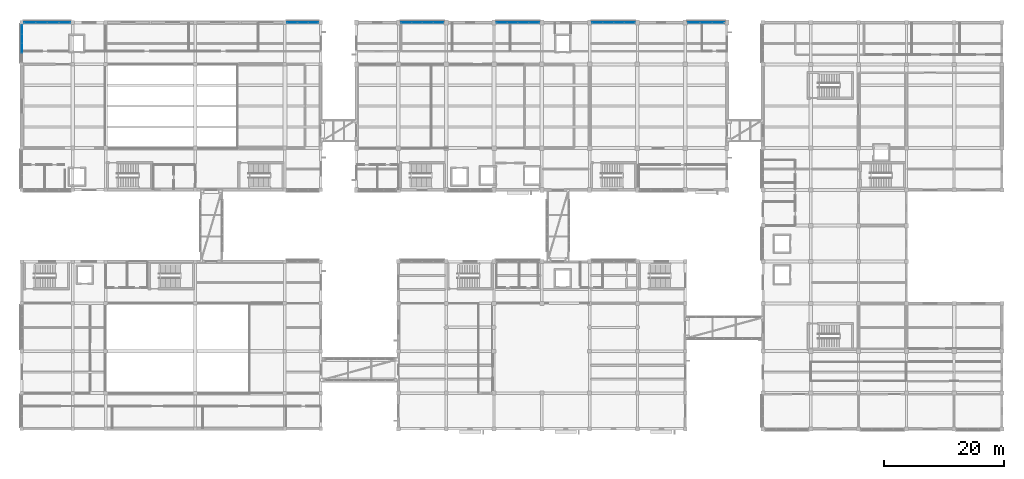
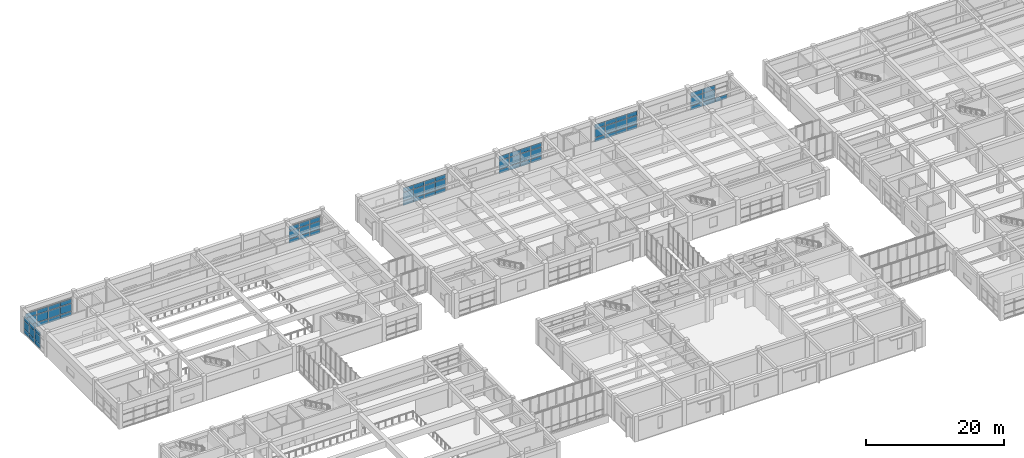
# One storey, part 43 of 72: 73 plates, 7 elements without a shape of their own.
"""IFC4 building model written with IfcOpenShell, lengths in metres."""

import ifcopenshell
import ifcopenshell.guid

model = None  # the IFC model being written
_history = None  # IfcOwnerHistory: only IFC2X3 demands one
_inside = {}  # id of a spatial element -> (the spatial element, [elements in it])
_under = {}  # id of a project, library or spatial element -> (it, [spatial elements below it])
_declared = {}  # id of a project -> (the project, [libraries it declares])
_typed = {}  # id of a type object -> (the type object, [elements of that type])
_made_of = {}  # id of a material, layer set ... -> (it, [elements and type objects made of it])


def new_model(schema):
    """Start an empty IFC model of exactly this schema.

    Asked for "IFC4X3", IfcOpenShell would pick the latest addendum, in which some entities
    have other attributes; the version numbers below select the first issue.
    IFC2X3 requires an IfcOwnerHistory on every rooted entity: one is made here for all.
    """
    global model, _history
    if schema == "IFC4X3":
        model = ifcopenshell.file(schema_version=(4, 3, 0, 0))
    else:
        model = ifcopenshell.file(schema=schema)
    _inside.clear()
    _under.clear()
    _declared.clear()
    _typed.clear()
    _made_of.clear()
    _history = None
    if model.schema == "IFC2X3":
        org = make("IfcOrganization", Name="unknown")
        user = make(
            "IfcPersonAndOrganization",
            ThePerson=make("IfcPerson", FamilyName="unknown"),
            TheOrganization=org,
        )
        app = make(
            "IfcApplication",
            ApplicationDeveloper=org,
            Version="unknown",
            ApplicationFullName="unknown",
            ApplicationIdentifier="unknown",
        )
        _history = make(
            "IfcOwnerHistory",
            OwningUser=user,
            OwningApplication=app,
            ChangeAction="ADDED",
            CreationDate=0,
        )
    return model


def make(cls, **values):
    """One entity of the class cls with the attributes given. An attribute that is None is left unset."""
    return model.create_entity(
        cls, **{name: value for name, value in values.items() if value is not None}
    )


def rooted(cls, **values):
    """An entity with a GlobalId (a new one), such as an element, a storey or a relation."""
    return make(cls, GlobalId=ifcopenshell.guid.new(), OwnerHistory=_history, **values)


def si_unit(unit_type, name, prefix=None):
    """IfcSIUnit, for example si_unit("LENGTHUNIT", "METRE", prefix="MILLI")."""
    return make("IfcSIUnit", UnitType=unit_type, Prefix=prefix, Name=name)


def assignment(units):
    """IfcUnitAssignment: the units of a project."""
    return None if units is None else make("IfcUnitAssignment", Units=units)


def point(xyz):
    """IfcCartesianPoint."""
    return None if xyz is None else make("IfcCartesianPoint", Coordinates=xyz)


def direction(xyz):
    """IfcDirection."""
    return None if xyz is None else make("IfcDirection", DirectionRatios=xyz)


def frame(location, z_axis=None, x_axis=None):
    """IfcAxis2Placement3D, a coordinate frame: its origin and axes. An axis left out is left unset."""
    return make(
        "IfcAxis2Placement3D",
        Location=point(location),
        Axis=direction(z_axis),
        RefDirection=direction(x_axis),
    )


def frame_2d(location, x_axis=None):
    """IfcAxis2Placement2D, a coordinate frame in the plane: its origin and x axis."""
    return make(
        "IfcAxis2Placement2D", Location=point(location), RefDirection=direction(x_axis)
    )


def origin():
    """The frame at (0, 0, 0) with its axes left unset."""
    return frame((0.0, 0.0, 0.0))


def origin_2d():
    """The frame at (0, 0) in the plane with its x axis left unset."""
    return frame_2d((0.0, 0.0))


def place(relative_to, where):
    """IfcLocalPlacement: puts the frame where relative to a parent placement (None: the world)."""
    return make(
        "IfcLocalPlacement", PlacementRelTo=relative_to, RelativePlacement=where
    )


def context(
    kind, dimensions, precision=None, world=None, true_north=None, identifier=None
):
    """IfcGeometricRepresentationContext, for example the 3D "Model" context."""
    return make(
        "IfcGeometricRepresentationContext",
        ContextIdentifier=identifier,
        ContextType=kind,
        CoordinateSpaceDimension=dimensions,
        Precision=precision,
        WorldCoordinateSystem=world,
        TrueNorth=true_north,
    )


def subcontext(parent, identifier, kind, view, scale=None):
    """IfcGeometricRepresentationSubContext, for example "Body" below "Model"."""
    return make(
        "IfcGeometricRepresentationSubContext",
        ContextIdentifier=identifier,
        ContextType=kind,
        ParentContext=parent,
        TargetScale=scale,
        TargetView=view,
    )


def project(units=None, contexts=None):
    """IfcProject with its units and contexts."""
    return rooted(
        "IfcProject",
        Name="project",
        RepresentationContexts=contexts,
        UnitsInContext=assignment(units),
    )


def spatial(cls, under=None, at=None, **own):
    """A site, building, storey or space (cls), placed at a placement, below another one or the project."""
    s = rooted(cls, ObjectPlacement=at, **own)
    if under is not None:
        _under.setdefault(under.id(), (under, []))[1].append(s)
    return s


def profile(cls, at=None, kind="AREA", **sizes):
    """A parametric profile (cls). Its sizes go by their IFC names, for example OverallWidth=200.0."""
    return make(cls, ProfileType=kind, Position=at, **sizes)


def rectangle(**sizes):
    """IfcRectangleProfileDef."""
    return profile("IfcRectangleProfileDef", **sizes)


def extrude(swept, where, along, depth):
    """IfcExtrudedAreaSolid: the profile swept, set in the frame where, extruded along a direction by depth."""
    return make(
        "IfcExtrudedAreaSolid",
        SweptArea=swept,
        Position=where,
        ExtrudedDirection=direction(along),
        Depth=depth,
    )


def shape(context_of_items, identifier, shape_type, items):
    """IfcShapeRepresentation: the items that make up one representation, for example the "Body"."""
    return make(
        "IfcShapeRepresentation",
        ContextOfItems=context_of_items,
        RepresentationIdentifier=identifier,
        RepresentationType=shape_type,
        Items=items,
    )


def material(Name=None, Category=None):
    """IfcMaterial."""
    return make("IfcMaterial", Name=Name, Category=Category)


def layer(
    of_material, thickness, ventilated=None, Name=None, Category=None, Priority=None
):
    """IfcMaterialLayer: one layer of a wall or slab, of a material (None: an air gap)."""
    return make(
        "IfcMaterialLayer",
        Material=of_material,
        LayerThickness=thickness,
        IsVentilated=ventilated,
        Name=Name,
        Category=Category,
        Priority=Priority,
    )


def layer_set(layers, Name=None):
    """IfcMaterialLayerSet."""
    return make("IfcMaterialLayerSet", MaterialLayers=layers, LayerSetName=Name)


def made_of(thing, what):
    """Note that an element or type object is made of a material, layer set ...; save() writes the relation."""
    if what is not None:
        _made_of.setdefault(what.id(), (what, []))[1].append(thing)
    return thing


def type_object(cls, material=None, **own):
    """A type object (cls), such as IfcWallType, which elements share."""
    return made_of(rooted(cls, **own), material)


def element(
    cls,
    number,
    at=None,
    inside=None,
    cuts=None,
    type_object=None,
    material=None,
    context=None,
    identifier="Body",
    shape_type=None,
    held_by="IfcProductDefinitionShape",
    body=None,
    shapes=None,
    **own,
):
    """One element of the class cls, such as IfcWall. Its Tag is "e" and its number.

    at: its placement. inside: the storey or other place that contains it. cuts: it is an
    opening in that element (IfcRelVoidsElement). A single representation is given by context,
    identifier, shape_type and body (its items); several are given by shapes. held_by: the class
    of the entity that holds the representations. save() writes the other relations.
    """
    e = rooted(cls, Tag="e%d" % number, ObjectPlacement=at, **own)
    if body is not None:
        shapes = [shape(context, identifier, shape_type, body)]
    if shapes is not None:
        e.Representation = make(held_by, Representations=shapes)
    if inside is not None:
        _inside.setdefault(inside.id(), (inside, []))[1].append(e)
    if cuts is not None:
        rooted(
            "IfcRelVoidsElement", RelatingBuildingElement=cuts, RelatedOpeningElement=e
        )
    if type_object is not None:
        _typed.setdefault(type_object.id(), (type_object, []))[1].append(e)
    return made_of(e, material)


def aggregate(whole, parts):
    """IfcRelAggregates: a whole, such as a stair, and the parts it consists of."""
    return rooted("IfcRelAggregates", RelatingObject=whole, RelatedObjects=parts)


def save(model, path):
    """Write the relations noted so far, then the file.

    IfcRelAggregates (storeys below a building ...), IfcRelContainedInSpatialStructure (elements
    in a storey), IfcRelDefinesByType, IfcRelAssociatesMaterial and IfcRelDeclares: one each for
    every whole, place, type object, material and project.
    """
    for whole, parts in _under.values():
        aggregate(whole, parts)
    for where, things in _inside.values():
        rooted(
            "IfcRelContainedInSpatialStructure",
            RelatedElements=things,
            RelatingStructure=where,
        )
    for kind, things in _typed.values():
        rooted("IfcRelDefinesByType", RelatedObjects=things, RelatingType=kind)
    for what, things in _made_of.values():
        rooted("IfcRelAssociatesMaterial", RelatedObjects=things, RelatingMaterial=what)
    for by, libraries in _declared.values():
        rooted("IfcRelDeclares", RelatingContext=by, RelatedDefinitions=libraries)
    model.write(path)


model = new_model("IFC4")

# Units and contexts
model_context = context("Model", 3, precision=1e-05, world=origin(), true_north=direction((0.0, 1.0)))
body_context = subcontext(model_context, "Body", "Model", "MODEL_VIEW")
ifc_project = project(units=[si_unit("LENGTHUNIT", "METRE"), si_unit("AREAUNIT", "SQUARE_METRE"), si_unit("VOLUMEUNIT", "CUBIC_METRE"), si_unit("PLANEANGLEUNIT", "RADIAN"), si_unit("MASSUNIT", "GRAM", prefix="KILO")], contexts=[model_context])

# Site, building, storey
site_placement = place(None, origin())
site = spatial("IfcSite", under=ifc_project, at=site_placement, CompositionType="ELEMENT")
building_placement = place(site_placement, origin())
building = spatial("IfcBuilding", under=site, at=building_placement, Name="Naurynzar Civic Courthouse", CompositionType="ELEMENT")
storey_placement = place(building_placement, frame((0.0, 0.0, 9.89990234375)))
storey = spatial("IfcBuildingStorey", under=building, at=storey_placement, Name="L03", CompositionType="ELEMENT", Elevation=9.89990234375)

# Curtain wall, plates
ifc_material_1 = material(Name="Aluminium 6063-T6", Category="aluminium")
ifc_layer_1 = layer(ifc_material_1, 0.159912109375)
ifc_layer_set_1 = layer_set([ifc_layer_1], Name="CW-UNIT-1800")
curtain_wall_type = type_object("IfcCurtainWallType", Name="CW-UNIT-1800", PredefinedType="NOTDEFINED", material=ifc_layer_set_1)
curtain_wall_1_placement = place(storey_placement, origin())
curtain_wall_1 = element("IfcCurtainWall", 1, at=curtain_wall_1_placement, inside=storey, type_object=curtain_wall_type, Name="V1 unitised curtain wall 8 L03", PredefinedType="NOTDEFINED")
ifc_material_2 = material(Name="Tempered Laminated Low-E Glass", Category="glass")
ifc_layer_2 = layer(ifc_material_2, 0.035888671875)
ifc_layer_set_2 = layer_set([ifc_layer_2], Name="CWP-IGU-36")
plate_type = type_object("IfcPlateType", Name="CWP-IGU-36", PredefinedType="CURTAIN_PANEL", material=ifc_layer_set_2)
plate_1_placement = place(storey_placement, frame((6.0, 67.71240234375, 0.070068359375), z_axis=(0.0, 0.0, 1.0), x_axis=(0.0, 1.0, 0.0)))
plate_1 = element("IfcPlate", 2, at=plate_1_placement, type_object=plate_type, Name="CW-02 panel 2.1", PredefinedType="CURTAIN_PANEL", context=body_context, shape_type="SweptSolid", body=[
    extrude(rectangle(XDim=1.5048828125, YDim=0.035888671875, at=origin_2d()), origin(), (0.0, 0.0, 1.0), 0.7451171875),
])
plate_2_placement = place(storey_placement, frame((6.0, 67.71240234375, 0.88525390625), z_axis=(0.0, 0.0, 1.0), x_axis=(0.0, 1.0, 0.0)))
plate_2 = element("IfcPlate", 3, at=plate_2_placement, type_object=plate_type, Name="CW-02 panel 2.2", PredefinedType="CURTAIN_PANEL", context=body_context, shape_type="SweptSolid", body=[
    extrude(rectangle(XDim=1.5048828125, YDim=0.035888671875, at=origin_2d()), origin(), (0.0, 0.0, 1.0), 1.340087890625),
])
plate_3_placement = place(storey_placement, frame((6.0, 67.71240234375, 2.294921875), z_axis=(0.0, 0.0, 1.0), x_axis=(0.0, 1.0, 0.0)))
plate_3 = element("IfcPlate", 4, at=plate_3_placement, type_object=plate_type, Name="CW-02 panel 2.3", PredefinedType="CURTAIN_PANEL", context=body_context, shape_type="SweptSolid", body=[
    extrude(rectangle(XDim=1.5048828125, YDim=0.035888671875, at=origin_2d()), origin(), (0.0, 0.0, 1.0), 0.7451171875),
])
plate_4_placement = place(storey_placement, frame((6.0, 69.28759765625, 0.070068359375), z_axis=(0.0, 0.0, 1.0), x_axis=(0.0, 1.0, 0.0)))
plate_4 = element("IfcPlate", 5, at=plate_4_placement, type_object=plate_type, Name="CW-02 panel 3.1", PredefinedType="CURTAIN_PANEL", context=body_context, shape_type="SweptSolid", body=[
    extrude(rectangle(XDim=1.5048828125, YDim=0.035888671875, at=origin_2d()), origin(), (0.0, 0.0, 1.0), 0.7451171875),
])
plate_5_placement = place(storey_placement, frame((6.0, 69.28759765625, 0.88525390625), z_axis=(0.0, 0.0, 1.0), x_axis=(0.0, 1.0, 0.0)))
plate_5 = element("IfcPlate", 6, at=plate_5_placement, type_object=plate_type, Name="CW-02 panel 3.2", PredefinedType="CURTAIN_PANEL", context=body_context, shape_type="SweptSolid", body=[
    extrude(rectangle(XDim=1.5048828125, YDim=0.035888671875, at=origin_2d()), origin(), (0.0, 0.0, 1.0), 1.340087890625),
])
plate_6_placement = place(storey_placement, frame((6.0, 69.28759765625, 2.294921875), z_axis=(0.0, 0.0, 1.0), x_axis=(0.0, 1.0, 0.0)))
plate_6 = element("IfcPlate", 7, at=plate_6_placement, type_object=plate_type, Name="CW-02 panel 3.3", PredefinedType="CURTAIN_PANEL", context=body_context, shape_type="SweptSolid", body=[
    extrude(rectangle(XDim=1.5048828125, YDim=0.035888671875, at=origin_2d()), origin(), (0.0, 0.0, 1.0), 0.7451171875),
])
plate_7_placement = place(storey_placement, frame((6.0, 70.844970703125, 0.070068359375), z_axis=(0.0, 0.0, 1.0), x_axis=(0.0, 1.0, 0.0)))
plate_7 = element("IfcPlate", 8, at=plate_7_placement, type_object=plate_type, Name="CW-02 panel 4.1", PredefinedType="CURTAIN_PANEL", context=body_context, shape_type="SweptSolid", body=[
    extrude(rectangle(XDim=1.469970703125, YDim=0.035888671875, at=origin_2d()), origin(), (0.0, 0.0, 1.0), 0.7451171875),
])
plate_8_placement = place(storey_placement, frame((6.0, 70.844970703125, 0.88525390625), z_axis=(0.0, 0.0, 1.0), x_axis=(0.0, 1.0, 0.0)))
plate_8 = element("IfcPlate", 9, at=plate_8_placement, type_object=plate_type, Name="CW-02 panel 4.2", PredefinedType="CURTAIN_PANEL", context=body_context, shape_type="SweptSolid", body=[
    extrude(rectangle(XDim=1.469970703125, YDim=0.035888671875, at=origin_2d()), origin(), (0.0, 0.0, 1.0), 1.340087890625),
])
plate_9_placement = place(storey_placement, frame((6.0, 70.844970703125, 2.294921875), z_axis=(0.0, 0.0, 1.0), x_axis=(0.0, 1.0, 0.0)))
plate_9 = element("IfcPlate", 10, at=plate_9_placement, type_object=plate_type, Name="CW-02 panel 4.3", PredefinedType="CURTAIN_PANEL", context=body_context, shape_type="SweptSolid", body=[
    extrude(rectangle(XDim=1.469970703125, YDim=0.035888671875, at=origin_2d()), origin(), (0.0, 0.0, 1.0), 0.7451171875),
])
aggregate(curtain_wall_1, [plate_1, plate_2, plate_3, plate_4, plate_5, plate_6, plate_7, plate_8, plate_9])

curtain_wall_2_placement = place(storey_placement, origin())
curtain_wall_2 = element("IfcCurtainWall", 11, at=curtain_wall_2_placement, inside=storey, type_object=curtain_wall_type, Name="V1 unitised curtain wall 9 L03", PredefinedType="NOTDEFINED")
plate_10_placement = place(storey_placement, frame((7.342529296875, 72.0, 0.070068359375), z_axis=(0.0, 0.0, 1.0), x_axis=(1.0, 0.0, 0.0)))
plate_10 = element("IfcPlate", 12, at=plate_10_placement, type_object=plate_type, Name="CW-02 panel 1.1", PredefinedType="CURTAIN_PANEL", context=body_context, shape_type="SweptSolid", body=[
    extrude(rectangle(XDim=1.844970703125, YDim=0.035888671875, at=origin_2d()), origin(), (0.0, 0.0, 1.0), 0.7451171875),
])
plate_11_placement = place(storey_placement, frame((7.342529296875, 72.0, 0.88525390625), z_axis=(0.0, 0.0, 1.0), x_axis=(1.0, 0.0, 0.0)))
plate_11 = element("IfcPlate", 13, at=plate_11_placement, type_object=plate_type, Name="CW-02 panel 1.2", PredefinedType="CURTAIN_PANEL", context=body_context, shape_type="SweptSolid", body=[
    extrude(rectangle(XDim=1.844970703125, YDim=0.035888671875, at=origin_2d()), origin(), (0.0, 0.0, 1.0), 1.340087890625),
])
plate_12_placement = place(storey_placement, frame((7.342529296875, 72.0, 2.294921875), z_axis=(0.0, 0.0, 1.0), x_axis=(1.0, 0.0, 0.0)))
plate_12 = element("IfcPlate", 14, at=plate_12_placement, type_object=plate_type, Name="CW-02 panel 1.3", PredefinedType="CURTAIN_PANEL", context=body_context, shape_type="SweptSolid", body=[
    extrude(rectangle(XDim=1.844970703125, YDim=0.035888671875, at=origin_2d()), origin(), (0.0, 0.0, 1.0), 0.7451171875),
])
plate_13_placement = place(storey_placement, frame((9.27490234375, 72.0, 0.070068359375), z_axis=(0.0, 0.0, 1.0), x_axis=(1.0, 0.0, 0.0)))
plate_13 = element("IfcPlate", 15, at=plate_13_placement, type_object=plate_type, Name="CW-02 panel 2.1", PredefinedType="CURTAIN_PANEL", context=body_context, shape_type="SweptSolid", body=[
    extrude(rectangle(XDim=1.8798828125, YDim=0.035888671875, at=origin_2d()), origin(), (0.0, 0.0, 1.0), 0.7451171875),
])
plate_14_placement = place(storey_placement, frame((9.27490234375, 72.0, 0.88525390625), z_axis=(0.0, 0.0, 1.0), x_axis=(1.0, 0.0, 0.0)))
plate_14 = element("IfcPlate", 16, at=plate_14_placement, type_object=plate_type, Name="CW-02 panel 2.2", PredefinedType="CURTAIN_PANEL", context=body_context, shape_type="SweptSolid", body=[
    extrude(rectangle(XDim=1.8798828125, YDim=0.035888671875, at=origin_2d()), origin(), (0.0, 0.0, 1.0), 1.340087890625),
])
plate_15_placement = place(storey_placement, frame((9.27490234375, 72.0, 2.294921875), z_axis=(0.0, 0.0, 1.0), x_axis=(1.0, 0.0, 0.0)))
plate_15 = element("IfcPlate", 17, at=plate_15_placement, type_object=plate_type, Name="CW-02 panel 2.3", PredefinedType="CURTAIN_PANEL", context=body_context, shape_type="SweptSolid", body=[
    extrude(rectangle(XDim=1.8798828125, YDim=0.035888671875, at=origin_2d()), origin(), (0.0, 0.0, 1.0), 0.7451171875),
])
plate_16_placement = place(storey_placement, frame((11.22509765625, 72.0, 0.070068359375), z_axis=(0.0, 0.0, 1.0), x_axis=(1.0, 0.0, 0.0)))
plate_16 = element("IfcPlate", 18, at=plate_16_placement, type_object=plate_type, Name="CW-02 panel 3.1", PredefinedType="CURTAIN_PANEL", context=body_context, shape_type="SweptSolid", body=[
    extrude(rectangle(XDim=1.8798828125, YDim=0.035888671875, at=origin_2d()), origin(), (0.0, 0.0, 1.0), 0.7451171875),
])
plate_17_placement = place(storey_placement, frame((11.22509765625, 72.0, 0.88525390625), z_axis=(0.0, 0.0, 1.0), x_axis=(1.0, 0.0, 0.0)))
plate_17 = element("IfcPlate", 19, at=plate_17_placement, type_object=plate_type, Name="CW-02 panel 3.2", PredefinedType="CURTAIN_PANEL", context=body_context, shape_type="SweptSolid", body=[
    extrude(rectangle(XDim=1.8798828125, YDim=0.035888671875, at=origin_2d()), origin(), (0.0, 0.0, 1.0), 1.340087890625),
])
plate_18_placement = place(storey_placement, frame((11.22509765625, 72.0, 2.294921875), z_axis=(0.0, 0.0, 1.0), x_axis=(1.0, 0.0, 0.0)))
plate_18 = element("IfcPlate", 20, at=plate_18_placement, type_object=plate_type, Name="CW-02 panel 3.3", PredefinedType="CURTAIN_PANEL", context=body_context, shape_type="SweptSolid", body=[
    extrude(rectangle(XDim=1.8798828125, YDim=0.035888671875, at=origin_2d()), origin(), (0.0, 0.0, 1.0), 0.7451171875),
])
plate_19_placement = place(storey_placement, frame((13.157470703125, 72.0, 0.070068359375), z_axis=(0.0, 0.0, 1.0), x_axis=(1.0, 0.0, 0.0)))
plate_19 = element("IfcPlate", 21, at=plate_19_placement, type_object=plate_type, Name="CW-02 panel 4.1", PredefinedType="CURTAIN_PANEL", context=body_context, shape_type="SweptSolid", body=[
    extrude(rectangle(XDim=1.844970703125, YDim=0.035888671875, at=origin_2d()), origin(), (0.0, 0.0, 1.0), 0.7451171875),
])
plate_20_placement = place(storey_placement, frame((13.157470703125, 72.0, 0.88525390625), z_axis=(0.0, 0.0, 1.0), x_axis=(1.0, 0.0, 0.0)))
plate_20 = element("IfcPlate", 22, at=plate_20_placement, type_object=plate_type, Name="CW-02 panel 4.2", PredefinedType="CURTAIN_PANEL", context=body_context, shape_type="SweptSolid", body=[
    extrude(rectangle(XDim=1.844970703125, YDim=0.035888671875, at=origin_2d()), origin(), (0.0, 0.0, 1.0), 1.340087890625),
])
plate_21_placement = place(storey_placement, frame((13.157470703125, 72.0, 2.294921875), z_axis=(0.0, 0.0, 1.0), x_axis=(1.0, 0.0, 0.0)))
plate_21 = element("IfcPlate", 23, at=plate_21_placement, type_object=plate_type, Name="CW-02 panel 4.3", PredefinedType="CURTAIN_PANEL", context=body_context, shape_type="SweptSolid", body=[
    extrude(rectangle(XDim=1.844970703125, YDim=0.035888671875, at=origin_2d()), origin(), (0.0, 0.0, 1.0), 0.7451171875),
])
aggregate(curtain_wall_2, [plate_10, plate_11, plate_12, plate_13, plate_14, plate_15, plate_16, plate_17, plate_18, plate_19, plate_20, plate_21])

curtain_wall_3_placement = place(storey_placement, origin())
curtain_wall_3 = element("IfcCurtainWall", 24, at=curtain_wall_3_placement, inside=storey, type_object=curtain_wall_type, Name="V1 unitised curtain wall 10 L03", PredefinedType="NOTDEFINED")
plate_22_placement = place(storey_placement, frame((51.250732421875, 72.0, 0.070068359375), z_axis=(0.0, 0.0, 1.0), x_axis=(1.0, 0.0, 0.0)))
plate_22 = element("IfcPlate", 25, at=plate_22_placement, type_object=plate_type, Name="CW-02 panel 1.1", PredefinedType="CURTAIN_PANEL", context=body_context, shape_type="SweptSolid", body=[
    extrude(rectangle(XDim=1.66162109375, YDim=0.035888671875, at=origin_2d()), origin(), (0.0, 0.0, 1.0), 0.7451171875),
])
plate_23_placement = place(storey_placement, frame((51.250732421875, 72.0, 0.88525390625), z_axis=(0.0, 0.0, 1.0), x_axis=(1.0, 0.0, 0.0)))
plate_23 = element("IfcPlate", 26, at=plate_23_placement, type_object=plate_type, Name="CW-02 panel 1.2", PredefinedType="CURTAIN_PANEL", context=body_context, shape_type="SweptSolid", body=[
    extrude(rectangle(XDim=1.66162109375, YDim=0.035888671875, at=origin_2d()), origin(), (0.0, 0.0, 1.0), 1.340087890625),
])
plate_24_placement = place(storey_placement, frame((51.250732421875, 72.0, 2.294921875), z_axis=(0.0, 0.0, 1.0), x_axis=(1.0, 0.0, 0.0)))
plate_24 = element("IfcPlate", 27, at=plate_24_placement, type_object=plate_type, Name="CW-02 panel 1.3", PredefinedType="CURTAIN_PANEL", context=body_context, shape_type="SweptSolid", body=[
    extrude(rectangle(XDim=1.66162109375, YDim=0.035888671875, at=origin_2d()), origin(), (0.0, 0.0, 1.0), 0.7451171875),
])
plate_25_placement = place(storey_placement, frame((53.0, 72.0, 0.070068359375), z_axis=(0.0, 0.0, 1.0), x_axis=(1.0, 0.0, 0.0)))
plate_25 = element("IfcPlate", 28, at=plate_25_placement, type_object=plate_type, Name="CW-02 panel 2.1", PredefinedType="CURTAIN_PANEL", context=body_context, shape_type="SweptSolid", body=[
    extrude(rectangle(XDim=1.69677734375, YDim=0.035888671875, at=origin_2d()), origin(), (0.0, 0.0, 1.0), 0.7451171875),
])
plate_26_placement = place(storey_placement, frame((53.0, 72.0, 0.88525390625), z_axis=(0.0, 0.0, 1.0), x_axis=(1.0, 0.0, 0.0)))
plate_26 = element("IfcPlate", 29, at=plate_26_placement, type_object=plate_type, Name="CW-02 panel 2.2", PredefinedType="CURTAIN_PANEL", context=body_context, shape_type="SweptSolid", body=[
    extrude(rectangle(XDim=1.69677734375, YDim=0.035888671875, at=origin_2d()), origin(), (0.0, 0.0, 1.0), 1.340087890625),
])
plate_27_placement = place(storey_placement, frame((53.0, 72.0, 2.294921875), z_axis=(0.0, 0.0, 1.0), x_axis=(1.0, 0.0, 0.0)))
plate_27 = element("IfcPlate", 30, at=plate_27_placement, type_object=plate_type, Name="CW-02 panel 2.3", PredefinedType="CURTAIN_PANEL", context=body_context, shape_type="SweptSolid", body=[
    extrude(rectangle(XDim=1.69677734375, YDim=0.035888671875, at=origin_2d()), origin(), (0.0, 0.0, 1.0), 0.7451171875),
])
plate_28_placement = place(storey_placement, frame((54.749267578125, 72.0, 0.070068359375), z_axis=(0.0, 0.0, 1.0), x_axis=(1.0, 0.0, 0.0)))
plate_28 = element("IfcPlate", 31, at=plate_28_placement, type_object=plate_type, Name="CW-02 panel 3.1", PredefinedType="CURTAIN_PANEL", context=body_context, shape_type="SweptSolid", body=[
    extrude(rectangle(XDim=1.66162109375, YDim=0.035888671875, at=origin_2d()), origin(), (0.0, 0.0, 1.0), 0.7451171875),
])
plate_29_placement = place(storey_placement, frame((54.749267578125, 72.0, 0.88525390625), z_axis=(0.0, 0.0, 1.0), x_axis=(1.0, 0.0, 0.0)))
plate_29 = element("IfcPlate", 32, at=plate_29_placement, type_object=plate_type, Name="CW-02 panel 3.2", PredefinedType="CURTAIN_PANEL", context=body_context, shape_type="SweptSolid", body=[
    extrude(rectangle(XDim=1.66162109375, YDim=0.035888671875, at=origin_2d()), origin(), (0.0, 0.0, 1.0), 1.340087890625),
])
plate_30_placement = place(storey_placement, frame((54.749267578125, 72.0, 2.294921875), z_axis=(0.0, 0.0, 1.0), x_axis=(1.0, 0.0, 0.0)))
plate_30 = element("IfcPlate", 33, at=plate_30_placement, type_object=plate_type, Name="CW-02 panel 3.3", PredefinedType="CURTAIN_PANEL", context=body_context, shape_type="SweptSolid", body=[
    extrude(rectangle(XDim=1.66162109375, YDim=0.035888671875, at=origin_2d()), origin(), (0.0, 0.0, 1.0), 0.7451171875),
])
aggregate(curtain_wall_3, [plate_22, plate_23, plate_24, plate_25, plate_26, plate_27, plate_28, plate_29, plate_30])

curtain_wall_4_placement = place(storey_placement, origin())
curtain_wall_4 = element("IfcCurtainWall", 34, at=curtain_wall_4_placement, inside=storey, type_object=curtain_wall_type, Name="V2 unitised curtain wall 24 L03", PredefinedType="NOTDEFINED")
plate_31_placement = place(storey_placement, frame((70.3173828125, 72.0, 0.070068359375), z_axis=(0.0, 0.0, 1.0), x_axis=(1.0, 0.0, 0.0)))
plate_31 = element("IfcPlate", 35, at=plate_31_placement, type_object=plate_type, Name="CW-02 panel 1.1", PredefinedType="CURTAIN_PANEL", context=body_context, shape_type="SweptSolid", body=[
    extrude(rectangle(XDim=1.695068359375, YDim=0.035888671875, at=origin_2d()), origin(), (0.0, 0.0, 1.0), 0.7451171875),
])
plate_32_placement = place(storey_placement, frame((70.3173828125, 72.0, 0.885009765625), z_axis=(0.0, 0.0, 1.0), x_axis=(1.0, 0.0, 0.0)))
plate_32 = element("IfcPlate", 36, at=plate_32_placement, type_object=plate_type, Name="CW-02 panel 1.2", PredefinedType="CURTAIN_PANEL", context=body_context, shape_type="SweptSolid", body=[
    extrude(rectangle(XDim=1.695068359375, YDim=0.035888671875, at=origin_2d()), origin(), (0.0, 0.0, 1.0), 1.4599609375),
])
plate_33_placement = place(storey_placement, frame((70.3173828125, 72.0, 2.4150390625), z_axis=(0.0, 0.0, 1.0), x_axis=(1.0, 0.0, 0.0)))
plate_33 = element("IfcPlate", 37, at=plate_33_placement, type_object=plate_type, Name="CW-02 panel 1.3", PredefinedType="CURTAIN_PANEL", context=body_context, shape_type="SweptSolid", body=[
    extrude(rectangle(XDim=1.695068359375, YDim=0.035888671875, at=origin_2d()), origin(), (0.0, 0.0, 1.0), 0.7451171875),
])
plate_34_placement = place(storey_placement, frame((72.10009765625, 72.0, 0.070068359375), z_axis=(0.0, 0.0, 1.0), x_axis=(1.0, 0.0, 0.0)))
plate_34 = element("IfcPlate", 38, at=plate_34_placement, type_object=plate_type, Name="CW-02 panel 2.1", PredefinedType="CURTAIN_PANEL", context=body_context, shape_type="SweptSolid", body=[
    extrude(rectangle(XDim=1.72998046875, YDim=0.035888671875, at=origin_2d()), origin(), (0.0, 0.0, 1.0), 0.7451171875),
])
plate_35_placement = place(storey_placement, frame((72.10009765625, 72.0, 0.885009765625), z_axis=(0.0, 0.0, 1.0), x_axis=(1.0, 0.0, 0.0)))
plate_35 = element("IfcPlate", 39, at=plate_35_placement, type_object=plate_type, Name="CW-02 panel 2.2", PredefinedType="CURTAIN_PANEL", context=body_context, shape_type="SweptSolid", body=[
    extrude(rectangle(XDim=1.72998046875, YDim=0.035888671875, at=origin_2d()), origin(), (0.0, 0.0, 1.0), 1.4599609375),
])
plate_36_placement = place(storey_placement, frame((72.10009765625, 72.0, 2.4150390625), z_axis=(0.0, 0.0, 1.0), x_axis=(1.0, 0.0, 0.0)))
plate_36 = element("IfcPlate", 40, at=plate_36_placement, type_object=plate_type, Name="CW-02 panel 2.3", PredefinedType="CURTAIN_PANEL", context=body_context, shape_type="SweptSolid", body=[
    extrude(rectangle(XDim=1.72998046875, YDim=0.035888671875, at=origin_2d()), origin(), (0.0, 0.0, 1.0), 0.7451171875),
])
plate_37_placement = place(storey_placement, frame((73.89990234375, 72.0, 0.070068359375), z_axis=(0.0, 0.0, 1.0), x_axis=(1.0, 0.0, 0.0)))
plate_37 = element("IfcPlate", 41, at=plate_37_placement, type_object=plate_type, Name="CW-02 panel 3.1", PredefinedType="CURTAIN_PANEL", context=body_context, shape_type="SweptSolid", body=[
    extrude(rectangle(XDim=1.72998046875, YDim=0.035888671875, at=origin_2d()), origin(), (0.0, 0.0, 1.0), 0.7451171875),
])
plate_38_placement = place(storey_placement, frame((73.89990234375, 72.0, 0.885009765625), z_axis=(0.0, 0.0, 1.0), x_axis=(1.0, 0.0, 0.0)))
plate_38 = element("IfcPlate", 42, at=plate_38_placement, type_object=plate_type, Name="CW-02 panel 3.2", PredefinedType="CURTAIN_PANEL", context=body_context, shape_type="SweptSolid", body=[
    extrude(rectangle(XDim=1.72998046875, YDim=0.035888671875, at=origin_2d()), origin(), (0.0, 0.0, 1.0), 1.4599609375),
])
plate_39_placement = place(storey_placement, frame((73.89990234375, 72.0, 2.4150390625), z_axis=(0.0, 0.0, 1.0), x_axis=(1.0, 0.0, 0.0)))
plate_39 = element("IfcPlate", 43, at=plate_39_placement, type_object=plate_type, Name="CW-02 panel 3.3", PredefinedType="CURTAIN_PANEL", context=body_context, shape_type="SweptSolid", body=[
    extrude(rectangle(XDim=1.72998046875, YDim=0.035888671875, at=origin_2d()), origin(), (0.0, 0.0, 1.0), 0.7451171875),
])
plate_40_placement = place(storey_placement, frame((75.6826171875, 72.0, 0.070068359375), z_axis=(0.0, 0.0, 1.0), x_axis=(1.0, 0.0, 0.0)))
plate_40 = element("IfcPlate", 44, at=plate_40_placement, type_object=plate_type, Name="CW-02 panel 4.1", PredefinedType="CURTAIN_PANEL", context=body_context, shape_type="SweptSolid", body=[
    extrude(rectangle(XDim=1.695068359375, YDim=0.035888671875, at=origin_2d()), origin(), (0.0, 0.0, 1.0), 0.7451171875),
])
plate_41_placement = place(storey_placement, frame((75.6826171875, 72.0, 0.885009765625), z_axis=(0.0, 0.0, 1.0), x_axis=(1.0, 0.0, 0.0)))
plate_41 = element("IfcPlate", 45, at=plate_41_placement, type_object=plate_type, Name="CW-02 panel 4.2", PredefinedType="CURTAIN_PANEL", context=body_context, shape_type="SweptSolid", body=[
    extrude(rectangle(XDim=1.695068359375, YDim=0.035888671875, at=origin_2d()), origin(), (0.0, 0.0, 1.0), 1.4599609375),
])
plate_42_placement = place(storey_placement, frame((75.6826171875, 72.0, 2.4150390625), z_axis=(0.0, 0.0, 1.0), x_axis=(1.0, 0.0, 0.0)))
plate_42 = element("IfcPlate", 46, at=plate_42_placement, type_object=plate_type, Name="CW-02 panel 4.3", PredefinedType="CURTAIN_PANEL", context=body_context, shape_type="SweptSolid", body=[
    extrude(rectangle(XDim=1.695068359375, YDim=0.035888671875, at=origin_2d()), origin(), (0.0, 0.0, 1.0), 0.7451171875),
])
aggregate(curtain_wall_4, [plate_31, plate_32, plate_33, plate_34, plate_35, plate_36, plate_37, plate_38, plate_39, plate_40, plate_41, plate_42])

curtain_wall_5_placement = place(storey_placement, origin())
curtain_wall_5 = element("IfcCurtainWall", 47, at=curtain_wall_5_placement, inside=storey, type_object=curtain_wall_type, Name="V2 unitised curtain wall 25 L03", PredefinedType="NOTDEFINED")
plate_43_placement = place(storey_placement, frame((86.3173828125, 72.0, 0.070068359375), z_axis=(0.0, 0.0, 1.0), x_axis=(1.0, 0.0, 0.0)))
plate_43 = element("IfcPlate", 48, at=plate_43_placement, type_object=plate_type, Name="CW-02 panel 1.1", PredefinedType="CURTAIN_PANEL", context=body_context, shape_type="SweptSolid", body=[
    extrude(rectangle(XDim=1.695068359375, YDim=0.035888671875, at=origin_2d()), origin(), (0.0, 0.0, 1.0), 0.7451171875),
])
plate_44_placement = place(storey_placement, frame((86.3173828125, 72.0, 0.885009765625), z_axis=(0.0, 0.0, 1.0), x_axis=(1.0, 0.0, 0.0)))
plate_44 = element("IfcPlate", 49, at=plate_44_placement, type_object=plate_type, Name="CW-02 panel 1.2", PredefinedType="CURTAIN_PANEL", context=body_context, shape_type="SweptSolid", body=[
    extrude(rectangle(XDim=1.695068359375, YDim=0.035888671875, at=origin_2d()), origin(), (0.0, 0.0, 1.0), 1.4599609375),
])
plate_45_placement = place(storey_placement, frame((86.3173828125, 72.0, 2.4150390625), z_axis=(0.0, 0.0, 1.0), x_axis=(1.0, 0.0, 0.0)))
plate_45 = element("IfcPlate", 50, at=plate_45_placement, type_object=plate_type, Name="CW-02 panel 1.3", PredefinedType="CURTAIN_PANEL", context=body_context, shape_type="SweptSolid", body=[
    extrude(rectangle(XDim=1.695068359375, YDim=0.035888671875, at=origin_2d()), origin(), (0.0, 0.0, 1.0), 0.7451171875),
])
plate_46_placement = place(storey_placement, frame((88.10009765625, 72.0, 0.070068359375), z_axis=(0.0, 0.0, 1.0), x_axis=(1.0, 0.0, 0.0)))
plate_46 = element("IfcPlate", 51, at=plate_46_placement, type_object=plate_type, Name="CW-02 panel 2.1", PredefinedType="CURTAIN_PANEL", context=body_context, shape_type="SweptSolid", body=[
    extrude(rectangle(XDim=1.72998046875, YDim=0.035888671875, at=origin_2d()), origin(), (0.0, 0.0, 1.0), 0.7451171875),
])
plate_47_placement = place(storey_placement, frame((88.10009765625, 72.0, 0.885009765625), z_axis=(0.0, 0.0, 1.0), x_axis=(1.0, 0.0, 0.0)))
plate_47 = element("IfcPlate", 52, at=plate_47_placement, type_object=plate_type, Name="CW-02 panel 2.2", PredefinedType="CURTAIN_PANEL", context=body_context, shape_type="SweptSolid", body=[
    extrude(rectangle(XDim=1.72998046875, YDim=0.035888671875, at=origin_2d()), origin(), (0.0, 0.0, 1.0), 1.4599609375),
])
plate_48_placement = place(storey_placement, frame((88.10009765625, 72.0, 2.4150390625), z_axis=(0.0, 0.0, 1.0), x_axis=(1.0, 0.0, 0.0)))
plate_48 = element("IfcPlate", 53, at=plate_48_placement, type_object=plate_type, Name="CW-02 panel 2.3", PredefinedType="CURTAIN_PANEL", context=body_context, shape_type="SweptSolid", body=[
    extrude(rectangle(XDim=1.72998046875, YDim=0.035888671875, at=origin_2d()), origin(), (0.0, 0.0, 1.0), 0.7451171875),
])
plate_49_placement = place(storey_placement, frame((89.89990234375, 72.0, 0.070068359375), z_axis=(0.0, 0.0, 1.0), x_axis=(1.0, 0.0, 0.0)))
plate_49 = element("IfcPlate", 54, at=plate_49_placement, type_object=plate_type, Name="CW-02 panel 3.1", PredefinedType="CURTAIN_PANEL", context=body_context, shape_type="SweptSolid", body=[
    extrude(rectangle(XDim=1.72998046875, YDim=0.035888671875, at=origin_2d()), origin(), (0.0, 0.0, 1.0), 0.7451171875),
])
plate_50_placement = place(storey_placement, frame((89.89990234375, 72.0, 0.885009765625), z_axis=(0.0, 0.0, 1.0), x_axis=(1.0, 0.0, 0.0)))
plate_50 = element("IfcPlate", 55, at=plate_50_placement, type_object=plate_type, Name="CW-02 panel 3.2", PredefinedType="CURTAIN_PANEL", context=body_context, shape_type="SweptSolid", body=[
    extrude(rectangle(XDim=1.72998046875, YDim=0.035888671875, at=origin_2d()), origin(), (0.0, 0.0, 1.0), 1.4599609375),
])
plate_51_placement = place(storey_placement, frame((89.89990234375, 72.0, 2.4150390625), z_axis=(0.0, 0.0, 1.0), x_axis=(1.0, 0.0, 0.0)))
plate_51 = element("IfcPlate", 56, at=plate_51_placement, type_object=plate_type, Name="CW-02 panel 3.3", PredefinedType="CURTAIN_PANEL", context=body_context, shape_type="SweptSolid", body=[
    extrude(rectangle(XDim=1.72998046875, YDim=0.035888671875, at=origin_2d()), origin(), (0.0, 0.0, 1.0), 0.7451171875),
])
plate_52_placement = place(storey_placement, frame((91.6826171875, 72.0, 0.070068359375), z_axis=(0.0, 0.0, 1.0), x_axis=(1.0, 0.0, 0.0)))
plate_52 = element("IfcPlate", 57, at=plate_52_placement, type_object=plate_type, Name="CW-02 panel 4.1", PredefinedType="CURTAIN_PANEL", context=body_context, shape_type="SweptSolid", body=[
    extrude(rectangle(XDim=1.695068359375, YDim=0.035888671875, at=origin_2d()), origin(), (0.0, 0.0, 1.0), 0.7451171875),
])
plate_53_placement = place(storey_placement, frame((91.6826171875, 72.0, 0.885009765625), z_axis=(0.0, 0.0, 1.0), x_axis=(1.0, 0.0, 0.0)))
plate_53 = element("IfcPlate", 58, at=plate_53_placement, type_object=plate_type, Name="CW-02 panel 4.2", PredefinedType="CURTAIN_PANEL", context=body_context, shape_type="SweptSolid", body=[
    extrude(rectangle(XDim=1.695068359375, YDim=0.035888671875, at=origin_2d()), origin(), (0.0, 0.0, 1.0), 1.4599609375),
])
plate_54_placement = place(storey_placement, frame((91.6826171875, 72.0, 2.4150390625), z_axis=(0.0, 0.0, 1.0), x_axis=(1.0, 0.0, 0.0)))
plate_54 = element("IfcPlate", 59, at=plate_54_placement, type_object=plate_type, Name="CW-02 panel 4.3", PredefinedType="CURTAIN_PANEL", context=body_context, shape_type="SweptSolid", body=[
    extrude(rectangle(XDim=1.695068359375, YDim=0.035888671875, at=origin_2d()), origin(), (0.0, 0.0, 1.0), 0.7451171875),
])
aggregate(curtain_wall_5, [plate_43, plate_44, plate_45, plate_46, plate_47, plate_48, plate_49, plate_50, plate_51, plate_52, plate_53, plate_54])

curtain_wall_6_placement = place(storey_placement, origin())
curtain_wall_6 = element("IfcCurtainWall", 60, at=curtain_wall_6_placement, inside=storey, type_object=curtain_wall_type, Name="V2 unitised curtain wall 26 L03", PredefinedType="NOTDEFINED")
plate_55_placement = place(storey_placement, frame((102.3173828125, 72.0, 0.070068359375), z_axis=(0.0, 0.0, 1.0), x_axis=(1.0, 0.0, 0.0)))
plate_55 = element("IfcPlate", 61, at=plate_55_placement, type_object=plate_type, Name="CW-02 panel 1.1", PredefinedType="CURTAIN_PANEL", context=body_context, shape_type="SweptSolid", body=[
    extrude(rectangle(XDim=1.695068359375, YDim=0.035888671875, at=origin_2d()), origin(), (0.0, 0.0, 1.0), 0.7451171875),
])
plate_56_placement = place(storey_placement, frame((102.3173828125, 72.0, 0.885009765625), z_axis=(0.0, 0.0, 1.0), x_axis=(1.0, 0.0, 0.0)))
plate_56 = element("IfcPlate", 62, at=plate_56_placement, type_object=plate_type, Name="CW-02 panel 1.2", PredefinedType="CURTAIN_PANEL", context=body_context, shape_type="SweptSolid", body=[
    extrude(rectangle(XDim=1.695068359375, YDim=0.035888671875, at=origin_2d()), origin(), (0.0, 0.0, 1.0), 1.4599609375),
])
plate_57_placement = place(storey_placement, frame((102.3173828125, 72.0, 2.4150390625), z_axis=(0.0, 0.0, 1.0), x_axis=(1.0, 0.0, 0.0)))
plate_57 = element("IfcPlate", 63, at=plate_57_placement, type_object=plate_type, Name="CW-02 panel 1.3", PredefinedType="CURTAIN_PANEL", context=body_context, shape_type="SweptSolid", body=[
    extrude(rectangle(XDim=1.695068359375, YDim=0.035888671875, at=origin_2d()), origin(), (0.0, 0.0, 1.0), 0.7451171875),
])
plate_58_placement = place(storey_placement, frame((104.10009765625, 72.0, 0.070068359375), z_axis=(0.0, 0.0, 1.0), x_axis=(1.0, 0.0, 0.0)))
plate_58 = element("IfcPlate", 64, at=plate_58_placement, type_object=plate_type, Name="CW-02 panel 2.1", PredefinedType="CURTAIN_PANEL", context=body_context, shape_type="SweptSolid", body=[
    extrude(rectangle(XDim=1.72998046875, YDim=0.035888671875, at=origin_2d()), origin(), (0.0, 0.0, 1.0), 0.7451171875),
])
plate_59_placement = place(storey_placement, frame((104.10009765625, 72.0, 0.885009765625), z_axis=(0.0, 0.0, 1.0), x_axis=(1.0, 0.0, 0.0)))
plate_59 = element("IfcPlate", 65, at=plate_59_placement, type_object=plate_type, Name="CW-02 panel 2.2", PredefinedType="CURTAIN_PANEL", context=body_context, shape_type="SweptSolid", body=[
    extrude(rectangle(XDim=1.72998046875, YDim=0.035888671875, at=origin_2d()), origin(), (0.0, 0.0, 1.0), 1.4599609375),
])
plate_60_placement = place(storey_placement, frame((104.10009765625, 72.0, 2.4150390625), z_axis=(0.0, 0.0, 1.0), x_axis=(1.0, 0.0, 0.0)))
plate_60 = element("IfcPlate", 66, at=plate_60_placement, type_object=plate_type, Name="CW-02 panel 2.3", PredefinedType="CURTAIN_PANEL", context=body_context, shape_type="SweptSolid", body=[
    extrude(rectangle(XDim=1.72998046875, YDim=0.035888671875, at=origin_2d()), origin(), (0.0, 0.0, 1.0), 0.7451171875),
])
plate_61_placement = place(storey_placement, frame((105.89990234375, 72.0, 0.070068359375), z_axis=(0.0, 0.0, 1.0), x_axis=(1.0, 0.0, 0.0)))
plate_61 = element("IfcPlate", 67, at=plate_61_placement, type_object=plate_type, Name="CW-02 panel 3.1", PredefinedType="CURTAIN_PANEL", context=body_context, shape_type="SweptSolid", body=[
    extrude(rectangle(XDim=1.72998046875, YDim=0.035888671875, at=origin_2d()), origin(), (0.0, 0.0, 1.0), 0.7451171875),
])
plate_62_placement = place(storey_placement, frame((105.89990234375, 72.0, 0.885009765625), z_axis=(0.0, 0.0, 1.0), x_axis=(1.0, 0.0, 0.0)))
plate_62 = element("IfcPlate", 68, at=plate_62_placement, type_object=plate_type, Name="CW-02 panel 3.2", PredefinedType="CURTAIN_PANEL", context=body_context, shape_type="SweptSolid", body=[
    extrude(rectangle(XDim=1.72998046875, YDim=0.035888671875, at=origin_2d()), origin(), (0.0, 0.0, 1.0), 1.4599609375),
])
plate_63_placement = place(storey_placement, frame((105.89990234375, 72.0, 2.4150390625), z_axis=(0.0, 0.0, 1.0), x_axis=(1.0, 0.0, 0.0)))
plate_63 = element("IfcPlate", 69, at=plate_63_placement, type_object=plate_type, Name="CW-02 panel 3.3", PredefinedType="CURTAIN_PANEL", context=body_context, shape_type="SweptSolid", body=[
    extrude(rectangle(XDim=1.72998046875, YDim=0.035888671875, at=origin_2d()), origin(), (0.0, 0.0, 1.0), 0.7451171875),
])
plate_64_placement = place(storey_placement, frame((107.6826171875, 72.0, 0.070068359375), z_axis=(0.0, 0.0, 1.0), x_axis=(1.0, 0.0, 0.0)))
plate_64 = element("IfcPlate", 70, at=plate_64_placement, type_object=plate_type, Name="CW-02 panel 4.1", PredefinedType="CURTAIN_PANEL", context=body_context, shape_type="SweptSolid", body=[
    extrude(rectangle(XDim=1.695068359375, YDim=0.035888671875, at=origin_2d()), origin(), (0.0, 0.0, 1.0), 0.7451171875),
])
plate_65_placement = place(storey_placement, frame((107.6826171875, 72.0, 0.885009765625), z_axis=(0.0, 0.0, 1.0), x_axis=(1.0, 0.0, 0.0)))
plate_65 = element("IfcPlate", 71, at=plate_65_placement, type_object=plate_type, Name="CW-02 panel 4.2", PredefinedType="CURTAIN_PANEL", context=body_context, shape_type="SweptSolid", body=[
    extrude(rectangle(XDim=1.695068359375, YDim=0.035888671875, at=origin_2d()), origin(), (0.0, 0.0, 1.0), 1.4599609375),
])
plate_66_placement = place(storey_placement, frame((107.6826171875, 72.0, 2.4150390625), z_axis=(0.0, 0.0, 1.0), x_axis=(1.0, 0.0, 0.0)))
plate_66 = element("IfcPlate", 72, at=plate_66_placement, type_object=plate_type, Name="CW-02 panel 4.3", PredefinedType="CURTAIN_PANEL", context=body_context, shape_type="SweptSolid", body=[
    extrude(rectangle(XDim=1.695068359375, YDim=0.035888671875, at=origin_2d()), origin(), (0.0, 0.0, 1.0), 0.7451171875),
])
aggregate(curtain_wall_6, [plate_55, plate_56, plate_57, plate_58, plate_59, plate_60, plate_61, plate_62, plate_63, plate_64, plate_65, plate_66])

curtain_wall_7_placement = place(storey_placement, origin())
curtain_wall_7 = element("IfcCurtainWall", 73, at=curtain_wall_7_placement, inside=storey, type_object=curtain_wall_type, Name="V2 unitised curtain wall 27 L03", PredefinedType="NOTDEFINED")
plate_67_placement = place(storey_placement, frame((118.450927734375, 72.0, 0.070068359375), z_axis=(0.0, 0.0, 1.0), x_axis=(1.0, 0.0, 0.0)))
plate_67 = element("IfcPlate", 74, at=plate_67_placement, type_object=plate_type, Name="CW-02 panel 1.1", PredefinedType="CURTAIN_PANEL", context=body_context, shape_type="SweptSolid", body=[
    extrude(rectangle(XDim=1.961669921875, YDim=0.035888671875, at=origin_2d()), origin(), (0.0, 0.0, 1.0), 0.7451171875),
])
plate_68_placement = place(storey_placement, frame((118.450927734375, 72.0, 0.885009765625), z_axis=(0.0, 0.0, 1.0), x_axis=(1.0, 0.0, 0.0)))
plate_68 = element("IfcPlate", 75, at=plate_68_placement, type_object=plate_type, Name="CW-02 panel 1.2", PredefinedType="CURTAIN_PANEL", context=body_context, shape_type="SweptSolid", body=[
    extrude(rectangle(XDim=1.961669921875, YDim=0.035888671875, at=origin_2d()), origin(), (0.0, 0.0, 1.0), 1.4599609375),
])
plate_69_placement = place(storey_placement, frame((118.450927734375, 72.0, 2.4150390625), z_axis=(0.0, 0.0, 1.0), x_axis=(1.0, 0.0, 0.0)))
plate_69 = element("IfcPlate", 76, at=plate_69_placement, type_object=plate_type, Name="CW-02 panel 1.3", PredefinedType="CURTAIN_PANEL", context=body_context, shape_type="SweptSolid", body=[
    extrude(rectangle(XDim=1.961669921875, YDim=0.035888671875, at=origin_2d()), origin(), (0.0, 0.0, 1.0), 0.7451171875),
])
plate_70_placement = place(storey_placement, frame((120.5, 72.0, 0.070068359375), z_axis=(0.0, 0.0, 1.0), x_axis=(1.0, 0.0, 0.0)))
plate_70 = element("IfcPlate", 77, at=plate_70_placement, type_object=plate_type, Name="CW-02 panel 2.1", PredefinedType="CURTAIN_PANEL", context=body_context, shape_type="SweptSolid", body=[
    extrude(rectangle(XDim=1.99658203125, YDim=0.035888671875, at=origin_2d()), origin(), (0.0, 0.0, 1.0), 0.7451171875),
])
plate_71_placement = place(storey_placement, frame((120.5, 72.0, 0.885009765625), z_axis=(0.0, 0.0, 1.0), x_axis=(1.0, 0.0, 0.0)))
plate_71 = element("IfcPlate", 78, at=plate_71_placement, type_object=plate_type, Name="CW-02 panel 2.2", PredefinedType="CURTAIN_PANEL", context=body_context, shape_type="SweptSolid", body=[
    extrude(rectangle(XDim=1.99658203125, YDim=0.035888671875, at=origin_2d()), origin(), (0.0, 0.0, 1.0), 1.4599609375),
])
plate_72_placement = place(storey_placement, frame((120.5, 72.0, 2.4150390625), z_axis=(0.0, 0.0, 1.0), x_axis=(1.0, 0.0, 0.0)))
plate_72 = element("IfcPlate", 79, at=plate_72_placement, type_object=plate_type, Name="CW-02 panel 2.3", PredefinedType="CURTAIN_PANEL", context=body_context, shape_type="SweptSolid", body=[
    extrude(rectangle(XDim=1.99658203125, YDim=0.035888671875, at=origin_2d()), origin(), (0.0, 0.0, 1.0), 0.7451171875),
])
plate_73_placement = place(storey_placement, frame((122.549072265625, 72.0, 0.070068359375), z_axis=(0.0, 0.0, 1.0), x_axis=(1.0, 0.0, 0.0)))
plate_73 = element("IfcPlate", 80, at=plate_73_placement, type_object=plate_type, Name="CW-02 panel 3.1", PredefinedType="CURTAIN_PANEL", context=body_context, shape_type="SweptSolid", body=[
    extrude(rectangle(XDim=1.961669921875, YDim=0.035888671875, at=origin_2d()), origin(), (0.0, 0.0, 1.0), 0.7451171875),
])
aggregate(curtain_wall_7, [plate_67, plate_68, plate_69, plate_70, plate_71, plate_72, plate_73])

save(model, "model.ifc")
